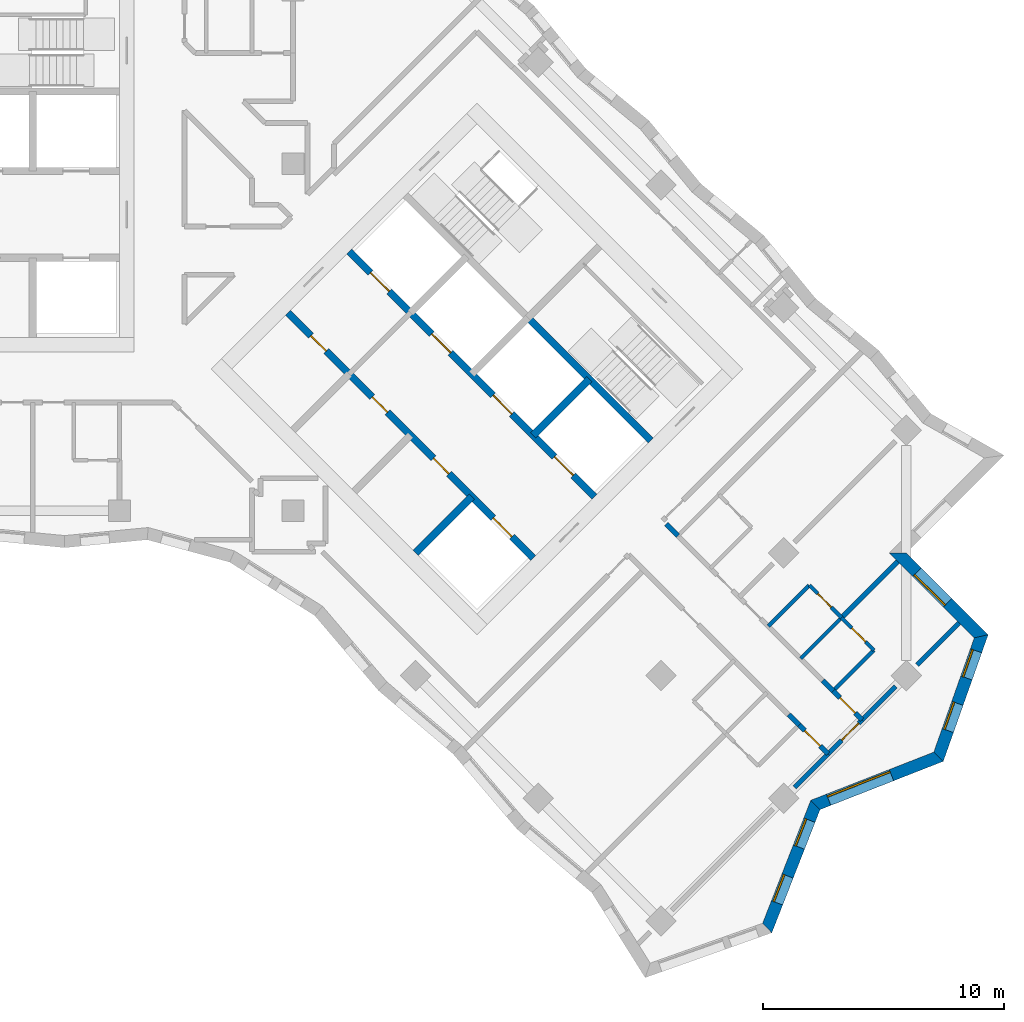
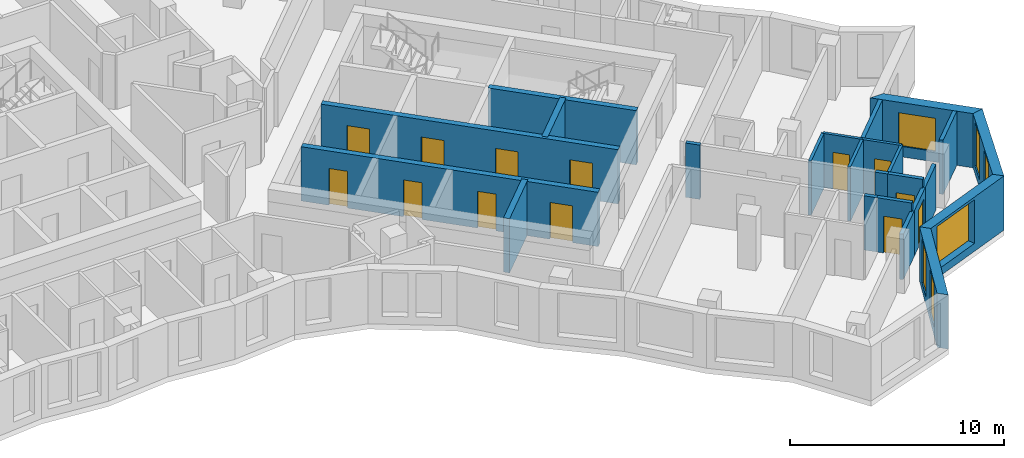
# One storey, part 8 of 12: 24 walls, 13 doors, 6 windows, 19 openings.
"""IFC4 building model written with IfcOpenShell, lengths in metres."""

from ifc_helpers import new_model, si_unit, direction, frame, frame_2d, origin, place, context, subcontext, project, spatial, polyline, rectangle, outline, extrude, material, layer, layer_set, type_object, element, fill, save


model = new_model("IFC4")

# Units and contexts
model_context = context("Model", 3, precision=1e-05, world=origin(), true_north=direction((0.0, 1.0)))
body_context = subcontext(model_context, "Body", "Model", "MODEL_VIEW")
ifc_project = project(units=[si_unit("LENGTHUNIT", "METRE"), si_unit("AREAUNIT", "SQUARE_METRE"), si_unit("VOLUMEUNIT", "CUBIC_METRE"), si_unit("PLANEANGLEUNIT", "RADIAN"), si_unit("MASSUNIT", "GRAM", prefix="KILO")], contexts=[model_context])

# Site, building, storey
site_placement = place(None, origin())
site = spatial("IfcSite", under=ifc_project, at=site_placement, CompositionType="ELEMENT")
building_placement = place(site_placement, origin())
building = spatial("IfcBuilding", under=site, at=building_placement, Name="Windrow Commons", CompositionType="ELEMENT")
storey_placement = place(building_placement, frame((0.0, 0.0, 138.8)))
storey = spatial("IfcBuildingStorey", under=building, at=storey_placement, Name="L37", CompositionType="ELEMENT", Elevation=138.8)

# Wall, openings, windows
ifc_material_1 = material(Name="Brick masonry, red clay brick", Category="masonry")
ifc_layer_1 = layer(ifc_material_1, 0.5)
ifc_layer_set_1 = layer_set([ifc_layer_1], Name="Brick facade wall 500")
wall_type_1 = type_object("IfcWallType", Name="Brick facade wall 500", PredefinedType="SOLIDWALL", material=ifc_layer_set_1)
wall_1_placement = place(storey_placement, frame((98.8803, 25.8838, 0.0), z_axis=(0.0, 0.0, 1.0), x_axis=(0.3646666187, 0.9311381515, 0.0)))
wall_1 = element("IfcWall", 1, at=wall_1_placement, inside=storey, type_object=wall_type_1, Name="Brick facade wall L37 2", PredefinedType="SOLIDWALL", context=body_context, shape_type="SweptSolid", body=[
    extrude(outline(polyline([(-0.1142, -0.25), (5.3782, -0.25), (5.5967, 0.25), (0.1142, 0.25), (-0.1142, -0.25)])), origin(), (0.0, 0.0, 1.0), 3.1),
])
opening_1_placement = place(wall_1_placement, frame((1.1231, 0.0, 0.45)))
opening_1 = element("IfcOpeningElement", 2, at=opening_1_placement, cuts=wall_1, Name="Opening W7E", PredefinedType="OPENING", context=body_context, shape_type="SweptSolid", body=[
    extrude(rectangle(XDim=1.2, YDim=2.5, at=frame_2d((0.6, 1.25))), frame((0.0, 0.26, 0.0), z_axis=(0.0, -1.0, 0.0), x_axis=(1.0, 0.0, 0.0)), (0.0, 0.0, 1.0), 0.52),
])
opening_2_placement = place(wall_1_placement, frame((3.6097, 0.0, 0.45)))
opening_2 = element("IfcOpeningElement", 3, at=opening_2_placement, cuts=wall_1, Name="Opening W7E", PredefinedType="OPENING", context=body_context, shape_type="SweptSolid", body=[
    extrude(rectangle(XDim=1.2, YDim=2.5, at=frame_2d((0.6, 1.25))), frame((0.0, 0.26, 0.0), z_axis=(0.0, -1.0, 0.0), x_axis=(1.0, 0.0, 0.0)), (0.0, 0.0, 1.0), 0.52),
])
ifc_material_2 = material(Name="Clear float glass in anodised aluminium frame", Category="aluminium")
window_type_1 = type_object("IfcWindowType", Name="Window W7 notch 1200x2500", PartitioningType="SINGLE_PANEL", PredefinedType="WINDOW", material=ifc_material_2)
window_1_placement = place(opening_1_placement, origin())
window_1 = element("IfcWindow", 4, at=window_1_placement, inside=storey, type_object=window_type_1, Name="Window L37 2.1", OverallHeight=2.5, OverallWidth=1.2, PartitioningType="SINGLE_PANEL", PredefinedType="WINDOW", context=body_context, shape_type="SweptSolid", body=[
    extrude(rectangle(XDim=1.2, YDim=2.5, at=frame_2d((0.6, 1.25))), frame((0.0, 0.18, 0.0), z_axis=(0.0, -1.0, 0.0), x_axis=(1.0, 0.0, 0.0)), (0.0, 0.0, 1.0), 0.06),
])
fill(opening_1, window_1)
window_2_placement = place(opening_2_placement, origin())
window_2 = element("IfcWindow", 5, at=window_2_placement, inside=storey, type_object=window_type_1, Name="Window L37 2.2", OverallHeight=2.5, OverallWidth=1.2, PartitioningType="SINGLE_PANEL", PredefinedType="WINDOW", context=body_context, shape_type="SweptSolid", body=[
    extrude(rectangle(XDim=1.2, YDim=2.5, at=frame_2d((0.6, 1.25))), frame((0.0, 0.18, 0.0), z_axis=(0.0, -1.0, 0.0), x_axis=(1.0, 0.0, 0.0)), (0.0, 0.0, 1.0), 0.06),
])
fill(opening_2, window_2)

# Wall, opening, window
wall_2_placement = place(storey_placement, frame((100.8814, 30.9934, 0.0), z_axis=(0.0, 0.0, 1.0), x_axis=(0.9311443392, 0.3646508186, 0.0)))
wall_2 = element("IfcWall", 6, at=wall_2_placement, inside=storey, type_object=wall_type_1, Name="Brick facade wall L37 3", PredefinedType="SOLIDWALL", context=body_context, shape_type="SweptSolid", body=[
    extrude(outline(polyline([(0.1093, -0.25), (5.6017, -0.25), (5.3732, 0.25), (-0.1093, 0.25), (0.1093, -0.25)])), origin(), (0.0, 0.0, 1.0), 3.1),
])
opening_3_placement = place(wall_2_placement, frame((0.5894, 0.0, 0.45)))
opening_3 = element("IfcOpeningElement", 7, at=opening_3_placement, cuts=wall_2, Name="Opening W1U", PredefinedType="OPENING", context=body_context, shape_type="SweptSolid", body=[
    extrude(rectangle(XDim=2.8, YDim=2.5, at=frame_2d((1.4, 1.25))), frame((0.0, 0.26, 0.0), z_axis=(0.0, -1.0, 0.0), x_axis=(1.0, 0.0, 0.0)), (0.0, 0.0, 1.0), 0.52),
])
ifc_material_3 = material(Name="Clear float glass in anodised aluminium frame", Category="aluminium")
window_type_2 = type_object("IfcWindowType", Name="Window W1U bedroom 2800x2500", PartitioningType="SINGLE_PANEL", PredefinedType="WINDOW", material=ifc_material_3)
window_3_placement = place(opening_3_placement, origin())
window_3 = element("IfcWindow", 8, at=window_3_placement, inside=storey, type_object=window_type_2, Name="Window L37 3.1", OverallHeight=2.5, OverallWidth=2.8, PartitioningType="SINGLE_PANEL", PredefinedType="WINDOW", context=body_context, shape_type="SweptSolid", body=[
    extrude(rectangle(XDim=2.8, YDim=2.5, at=frame_2d((1.4, 1.25))), frame((0.0, 0.18, 0.0), z_axis=(0.0, -1.0, 0.0), x_axis=(1.0, 0.0, 0.0)), (0.0, 0.0, 1.0), 0.06),
])
fill(opening_3, window_3)

# Wall, openings, windows
wall_3_placement = place(storey_placement, frame((105.991, 32.9944, 0.0), z_axis=(0.0, 0.0, 1.0), x_axis=(0.333866339, 0.9426204261, 0.0)))
wall_3 = element("IfcWall", 9, at=wall_3_placement, inside=storey, type_object=wall_type_1, Name="Brick facade wall L37 4", PredefinedType="SOLIDWALL", context=body_context, shape_type="SweptSolid", body=[
    extrude(outline(polyline([(-0.1142, -0.25), (5.4613, -0.25), (5.1458, 0.25), (0.1142, 0.25), (-0.1142, -0.25)])), origin(), (0.0, 0.0, 1.0), 3.1),
])
opening_4_placement = place(wall_3_placement, frame((1.1514, 0.0, 0.45)))
opening_4 = element("IfcOpeningElement", 10, at=opening_4_placement, cuts=wall_3, Name="Opening W7E", PredefinedType="OPENING", context=body_context, shape_type="SweptSolid", body=[
    extrude(rectangle(XDim=1.2, YDim=2.5, at=frame_2d((0.6, 1.25))), frame((0.0, 0.26, 0.0), z_axis=(0.0, -1.0, 0.0), x_axis=(1.0, 0.0, 0.0)), (0.0, 0.0, 1.0), 0.52),
])
opening_5_placement = place(wall_3_placement, frame((3.4671, 0.0, 0.45)))
opening_5 = element("IfcOpeningElement", 11, at=opening_5_placement, cuts=wall_3, Name="Opening W7E", PredefinedType="OPENING", context=body_context, shape_type="SweptSolid", body=[
    extrude(rectangle(XDim=1.2, YDim=2.5, at=frame_2d((0.6, 1.25))), frame((0.0, 0.26, 0.0), z_axis=(0.0, -1.0, 0.0), x_axis=(1.0, 0.0, 0.0)), (0.0, 0.0, 1.0), 0.52),
])
window_4_placement = place(opening_4_placement, origin())
window_4 = element("IfcWindow", 12, at=window_4_placement, inside=storey, type_object=window_type_1, Name="Window L37 4.1", OverallHeight=2.5, OverallWidth=1.2, PartitioningType="SINGLE_PANEL", PredefinedType="WINDOW", context=body_context, shape_type="SweptSolid", body=[
    extrude(rectangle(XDim=1.2, YDim=2.5, at=frame_2d((0.6, 1.25))), frame((0.0, 0.18, 0.0), z_axis=(0.0, -1.0, 0.0), x_axis=(1.0, 0.0, 0.0)), (0.0, 0.0, 1.0), 0.06),
])
fill(opening_4, window_4)
window_5_placement = place(opening_5_placement, origin())
window_5 = element("IfcWindow", 13, at=window_5_placement, inside=storey, type_object=window_type_1, Name="Window L37 4.2", OverallHeight=2.5, OverallWidth=1.2, PartitioningType="SINGLE_PANEL", PredefinedType="WINDOW", context=body_context, shape_type="SweptSolid", body=[
    extrude(rectangle(XDim=1.2, YDim=2.5, at=frame_2d((0.6, 1.25))), frame((0.0, 0.18, 0.0), z_axis=(0.0, -1.0, 0.0), x_axis=(1.0, 0.0, 0.0)), (0.0, 0.0, 1.0), 0.06),
])
fill(opening_5, window_5)

# Wall, opening, window
wall_4_placement = place(storey_placement, frame((107.7617, 37.9937, 0.0), z_axis=(0.0, 0.0, 1.0), x_axis=(-0.707127221, 0.7070863407, 0.0)))
wall_4 = element("IfcWall", 14, at=wall_4_placement, inside=storey, type_object=wall_type_1, Name="Brick facade wall L37 5", PredefinedType="SOLIDWALL", context=body_context, shape_type="SweptSolid", body=[
    extrude(outline(polyline([(-0.1578, -0.25), (4.6423, -0.25), (5.1423, 0.25), (0.1578, 0.25), (-0.1578, -0.25)])), origin(), (0.0, 0.0, 1.0), 3.1),
])
opening_6_placement = place(wall_4_placement, frame((1.9673, 0.0, 0.6)))
opening_6 = element("IfcOpeningElement", 15, at=opening_6_placement, cuts=wall_4, Name="Opening W1L", PredefinedType="OPENING", context=body_context, shape_type="SweptSolid", body=[
    extrude(rectangle(XDim=1.8, YDim=1.9, at=frame_2d((0.9, 0.95))), frame((0.0, 0.26, 0.0), z_axis=(0.0, -1.0, 0.0), x_axis=(1.0, 0.0, 0.0)), (0.0, 0.0, 1.0), 0.52),
])
ifc_material_4 = material(Name="Clear float glass in anodised aluminium frame", Category="aluminium")
window_type_3 = type_object("IfcWindowType", Name="Window W1L bedroom 1800x1900", PartitioningType="SINGLE_PANEL", PredefinedType="WINDOW", material=ifc_material_4)
window_6_placement = place(opening_6_placement, origin())
window_6 = element("IfcWindow", 16, at=window_6_placement, inside=storey, type_object=window_type_3, Name="Window L37 5.1", OverallHeight=1.9, OverallWidth=1.8, PartitioningType="SINGLE_PANEL", PredefinedType="WINDOW", context=body_context, shape_type="SweptSolid", body=[
    extrude(rectangle(XDim=1.8, YDim=1.9, at=frame_2d((0.9, 0.95))), frame((0.0, 0.18, 0.0), z_axis=(0.0, -1.0, 0.0), x_axis=(1.0, 0.0, 0.0)), (0.0, 0.0, 1.0), 0.06),
])
fill(opening_6, window_6)

# Wall, opening, door
ifc_material_5 = material(Name="Blockwork partition", Category="masonry")
ifc_layer_2 = layer(ifc_material_5, 0.2)
ifc_layer_set_2 = layer_set([ifc_layer_2], Name="IW-CORRIDOR-200")
wall_type_2 = type_object("IfcWallType", Name="IW-CORRIDOR-200", PredefinedType="PARTITIONING", material=ifc_layer_set_2)
wall_5_placement = place(storey_placement, frame((101.4032, 33.1108, 0.0), z_axis=(0.0, 0.0, 1.0), x_axis=(0.7071067812, 0.7071067812, 0.0)))
wall_5 = element("IfcWall", 17, at=wall_5_placement, inside=storey, type_object=wall_type_2, Name="W-L37-W110", PredefinedType="PARTITIONING", context=body_context, shape_type="SweptSolid", body=[
    extrude(rectangle(XDim=1.9997, YDim=0.2, at=frame_2d((0.9999, 0.0))), origin(), (0.0, 0.0, 1.0), 2.6),
])
opening_7_placement = place(wall_5_placement, frame((0.8016, 0.0, 0.0)))
opening_7 = element("IfcOpeningElement", 18, at=opening_7_placement, cuts=wall_5, Name="Opening D310F", PredefinedType="OPENING", context=body_context, shape_type="SweptSolid", body=[
    extrude(rectangle(XDim=1.0, YDim=2.1, at=frame_2d((0.5, 1.05))), frame((0.0, 0.11, 0.0), z_axis=(0.0, -1.0, 0.0), x_axis=(1.0, 0.0, 0.0)), (0.0, 0.0, 1.0), 0.22),
])
ifc_material_6 = material(Name="Timber door leaf", Category="wood")
door_type_1 = type_object("IfcDoorType", Name="DT-AMENITY-1000", OperationType="SINGLE_SWING_LEFT", PredefinedType="DOOR", material=ifc_material_6)
door_1_placement = place(opening_7_placement, origin())
door_1 = element("IfcDoor", 19, at=door_1_placement, inside=storey, type_object=door_type_1, Name="D-L37-D053", OperationType="SINGLE_SWING_RIGHT", OverallHeight=2.1, OverallWidth=1.0, PredefinedType="DOOR", context=body_context, shape_type="SweptSolid", body=[
    extrude(rectangle(XDim=1.0, YDim=2.1, at=frame_2d((0.5, 1.05))), frame((0.0, 0.025, 0.0), z_axis=(0.0, -1.0, 0.0), x_axis=(1.0, 0.0, 0.0)), (0.0, 0.0, 1.0), 0.05),
])
fill(opening_7, door_1)

wall_6_placement = place(storey_placement, frame((100.205, 34.315, 0.0), z_axis=(0.0, 0.0, 1.0), x_axis=(0.7071067812, -0.7071067812, 0.0)))
wall_6 = element("IfcWall", 20, at=wall_6_placement, inside=storey, type_object=wall_type_2, Name="W-L37-W132", PredefinedType="PARTITIONING", context=body_context, shape_type="SweptSolid", body=[
    extrude(rectangle(XDim=1.6999, YDim=0.2, at=frame_2d((0.8499, 0.0))), origin(), (0.0, 0.0, 1.0), 3.1),
])
opening_8_placement = place(wall_6_placement, frame((0.3349, 0.0, 0.0)))
opening_8 = element("IfcOpeningElement", 21, at=opening_8_placement, cuts=wall_6, Name="Opening D109S", PredefinedType="OPENING", context=body_context, shape_type="SweptSolid", body=[
    extrude(rectangle(XDim=0.9, YDim=2.1, at=frame_2d((0.45, 1.05))), frame((0.0, 0.11, 0.0), z_axis=(0.0, -1.0, 0.0), x_axis=(1.0, 0.0, 0.0)), (0.0, 0.0, 1.0), 0.22),
])
ifc_material_7 = material(Name="Timber door leaf", Category="wood")
door_type_2 = type_object("IfcDoorType", Name="DT-BEDROOM-900", OperationType="SINGLE_SWING_LEFT", PredefinedType="DOOR", material=ifc_material_7)
door_2_placement = place(opening_8_placement, origin())
door_2 = element("IfcDoor", 22, at=door_2_placement, inside=storey, type_object=door_type_2, Name="D-L37-D051", OperationType="SINGLE_SWING_LEFT", OverallHeight=2.1, OverallWidth=0.9, PredefinedType="DOOR", context=body_context, shape_type="SweptSolid", body=[
    extrude(rectangle(XDim=0.9, YDim=2.1, at=frame_2d((0.45, 1.05))), frame((0.0, 0.025, 0.0), z_axis=(0.0, -1.0, 0.0), x_axis=(1.0, 0.0, 0.0)), (0.0, 0.0, 1.0), 0.05),
])
fill(opening_8, door_2)

wall_7_placement = place(storey_placement, frame((101.6192, 35.7292, 0.0), z_axis=(0.0, 0.0, 1.0), x_axis=(0.7071067812, -0.7071067812, 0.0)))
wall_7 = element("IfcWall", 23, at=wall_7_placement, inside=storey, type_object=wall_type_2, Name="W-L37-W133", PredefinedType="PARTITIONING", context=body_context, shape_type="SweptSolid", body=[
    extrude(rectangle(XDim=1.6999, YDim=0.2, at=frame_2d((0.8499, 0.0))), origin(), (0.0, 0.0, 1.0), 3.1),
])
opening_9_placement = place(wall_7_placement, frame((0.3999, 0.0, 0.0)))
opening_9 = element("IfcOpeningElement", 24, at=opening_9_placement, cuts=wall_7, Name="Opening D109S", PredefinedType="OPENING", context=body_context, shape_type="SweptSolid", body=[
    extrude(rectangle(XDim=0.9, YDim=2.1, at=frame_2d((0.45, 1.05))), frame((0.0, 0.11, 0.0), z_axis=(0.0, -1.0, 0.0), x_axis=(1.0, 0.0, 0.0)), (0.0, 0.0, 1.0), 0.22),
])
door_3_placement = place(opening_9_placement, origin())
door_3 = element("IfcDoor", 25, at=door_3_placement, inside=storey, type_object=door_type_2, Name="D-L37-D049", OperationType="SINGLE_SWING_RIGHT", OverallHeight=2.1, OverallWidth=0.9, PredefinedType="DOOR", context=body_context, shape_type="SweptSolid", body=[
    extrude(rectangle(XDim=0.9, YDim=2.1, at=frame_2d((0.45, 1.05))), frame((0.0, 0.025, 0.0), z_axis=(0.0, -1.0, 0.0), x_axis=(1.0, 0.0, 0.0)), (0.0, 0.0, 1.0), 0.05),
])
fill(opening_9, door_3)

# Walls
wall_8_placement = place(storey_placement, frame((94.6863, 42.6563, 0.0), z_axis=(0.0, 0.0, 1.0), x_axis=(0.7056768426, -0.7085338339, 0.0)))
element("IfcWall", 26, at=wall_8_placement, inside=storey, type_object=wall_type_2, Name="W-L37-W155", PredefinedType="PARTITIONING", context=body_context, shape_type="SweptSolid", body=[
    extrude(rectangle(XDim=0.7, YDim=0.2, at=frame_2d((0.35, 0.0))), origin(), (0.0, 0.0, 1.0), 3.1),
])
for number, where, z_axis, x_axis, name in (
    (27, (101.186, 36.1581, 0.0), (0.0, 0.0, 1.0), (0.7087454925, -0.7054642634, 0.0), "W-L37-W158"),
    (28, (99.7718, 34.7438, 0.0), (0.0, 0.0, 1.0), (0.7087454925, -0.7054642634, 0.0), "W-L37-W159"),
):
    element("IfcWall", number, at=place(storey_placement, frame(where, z_axis=z_axis, x_axis=x_axis)), inside=storey, type_object=wall_type_2, Name=name, PredefinedType="PARTITIONING", context=body_context, shape_type="SweptSolid", body=[
        extrude(rectangle(XDim=0.6095, YDim=0.2, at=frame_2d((0.3048, 0.0))), origin(), (0.0, 0.0, 1.0), 3.1),
    ])
ifc_material_8 = material(Name="Blockwork partition", Category="masonry")
ifc_layer_3 = layer(ifc_material_8, 0.15)
ifc_layer_set_3 = layer_set([ifc_layer_3], Name="IW-ENSUITE-150")
wall_type_3 = type_object("IfcWallType", Name="IW-ENSUITE-150", PredefinedType="PARTITIONING", material=ifc_layer_set_3)
wall_9_placement = place(storey_placement, frame((98.9271, 38.4129, 0.0), z_axis=(0.0, 0.0, 1.0), x_axis=(0.7071067812, 0.7071067812, 0.0)))
element("IfcWall", 29, at=wall_9_placement, inside=storey, type_object=wall_type_3, Name="W-L37-W062", PredefinedType="PARTITIONING", context=body_context, shape_type="SweptSolid", body=[
    extrude(rectangle(XDim=2.4013, YDim=0.15, at=frame_2d((1.2006, 0.0))), origin(), (0.0, 0.0, 1.0), 3.1),
])
wall_10_placement = place(storey_placement, frame((100.2726, 37.0674, 0.0), z_axis=(0.0, 0.0, 1.0), x_axis=(0.706689978, 0.7075233388, 0.0)))
element("IfcWall", 30, at=wall_10_placement, inside=storey, type_object=wall_type_3, Name="W-L37-W089", PredefinedType="PARTITIONING", context=body_context, shape_type="SweptSolid", body=[
    extrude(rectangle(XDim=2.3999, YDim=0.15, at=frame_2d((1.2, 0.0))), origin(), (0.0, 0.0, 1.0), 3.1),
])
wall_11_placement = place(storey_placement, frame((101.6151, 35.7269, 0.0), z_axis=(0.0, 0.0, 1.0), x_axis=(0.7071067812, 0.7071067812, 0.0)))
element("IfcWall", 31, at=wall_11_placement, inside=storey, type_object=wall_type_3, Name="W-L37-W091", PredefinedType="PARTITIONING", context=body_context, shape_type="SweptSolid", body=[
    extrude(rectangle(XDim=2.3985, YDim=0.15, at=frame_2d((1.1992, 0.0))), origin(), (0.0, 0.0, 1.0), 3.1),
])

# Wall, opening, door
wall_12_placement = place(storey_placement, frame((101.9652, 38.7632, 0.0), z_axis=(0.0, 0.0, 1.0), x_axis=(0.7071067812, -0.7071067812, 0.0)))
wall_12 = element("IfcWall", 32, at=wall_12_placement, inside=storey, type_object=wall_type_3, Name="W-L37-W118", PredefinedType="PARTITIONING", context=body_context, shape_type="SweptSolid", body=[
    extrude(rectangle(XDim=1.9007, YDim=0.15, at=frame_2d((0.9504, 0.0))), origin(), (0.0, 0.0, 1.0), 3.1),
])
opening_10_placement = place(wall_12_placement, frame((0.6075, 0.0, 0.0)))
opening_10 = element("IfcOpeningElement", 33, at=opening_10_placement, cuts=wall_12, Name="Opening D208N", PredefinedType="OPENING", context=body_context, shape_type="SweptSolid", body=[
    extrude(rectangle(XDim=0.8, YDim=2.1, at=frame_2d((0.4, 1.05))), frame((0.0, 0.085, 0.0), z_axis=(0.0, -1.0, 0.0), x_axis=(1.0, 0.0, 0.0)), (0.0, 0.0, 1.0), 0.17),
])
ifc_material_9 = material(Name="Timber door leaf", Category="wood")
door_type_3 = type_object("IfcDoorType", Name="DT-ENSUITE-800", OperationType="SINGLE_SWING_LEFT", PredefinedType="DOOR", material=ifc_material_9)
door_4_placement = place(opening_10_placement, origin())
door_4 = element("IfcDoor", 34, at=door_4_placement, inside=storey, type_object=door_type_3, Name="D-L37-D050", OperationType="SINGLE_SWING_RIGHT", OverallHeight=2.1, OverallWidth=0.8, PredefinedType="DOOR", context=body_context, shape_type="SweptSolid", body=[
    extrude(rectangle(XDim=0.8, YDim=2.1, at=frame_2d((0.4, 1.05))), frame((0.0, 0.025, 0.0), z_axis=(0.0, -1.0, 0.0), x_axis=(1.0, 0.0, 0.0)), (0.0, 0.0, 1.0), 0.05),
])
fill(opening_10, door_4)

wall_13_placement = place(storey_placement, frame((100.628, 40.112, 0.0), z_axis=(0.0, 0.0, 1.0), x_axis=(0.7065800724, -0.7076330979, 0.0)))
wall_13 = element("IfcWall", 35, at=wall_13_placement, inside=storey, type_object=wall_type_3, Name="W-L37-W127", PredefinedType="PARTITIONING", context=body_context, shape_type="SweptSolid", body=[
    extrude(rectangle(XDim=1.8993, YDim=0.15, at=frame_2d((0.9496, 0.0))), origin(), (0.0, 0.0, 1.0), 3.1),
])
opening_11_placement = place(wall_13_placement, frame((0.493, 0.0, 0.0)))
opening_11 = element("IfcOpeningElement", 36, at=opening_11_placement, cuts=wall_13, Name="Opening D208N", PredefinedType="OPENING", context=body_context, shape_type="SweptSolid", body=[
    extrude(rectangle(XDim=0.8, YDim=2.1, at=frame_2d((0.4, 1.05))), frame((0.0, 0.085, 0.0), z_axis=(0.0, -1.0, 0.0), x_axis=(1.0, 0.0, 0.0)), (0.0, 0.0, 1.0), 0.17),
])
door_5_placement = place(opening_11_placement, origin())
door_5 = element("IfcDoor", 37, at=door_5_placement, inside=storey, type_object=door_type_3, Name="D-L37-D048", OperationType="SINGLE_SWING_RIGHT", OverallHeight=2.1, OverallWidth=0.8, PredefinedType="DOOR", context=body_context, shape_type="SweptSolid", body=[
    extrude(rectangle(XDim=0.8, YDim=2.1, at=frame_2d((0.4, 1.05))), frame((0.0, 0.025, 0.0), z_axis=(0.0, -1.0, 0.0), x_axis=(1.0, 0.0, 0.0)), (0.0, 0.0, 1.0), 0.05),
])
fill(opening_11, door_5)

# Walls
ifc_material_10 = material(Name="Blockwork partition", Category="masonry")
ifc_layer_4 = layer(ifc_material_10, 0.2)
ifc_layer_set_4 = layer_set([ifc_layer_4], Name="IW-PARTY-200")
wall_type_4 = type_object("IfcWallType", Name="IW-PARTY-200", PredefinedType="PARTITIONING", material=ifc_layer_set_4)
wall_14_placement = place(storey_placement, frame((101.9676, 38.7664, 0.0), z_axis=(0.0, 0.0, 1.0), x_axis=(0.7071067812, 0.7071067812, 0.0)))
element("IfcWall", 38, at=wall_14_placement, inside=storey, type_object=wall_type_4, Name="W-L37-W049", PredefinedType="PARTITIONING", context=body_context, shape_type="SweptSolid", body=[
    extrude(rectangle(XDim=3.3005, YDim=0.2, at=frame_2d((1.6502, 0.0))), origin(), (0.0, 0.0, 1.0), 3.1),
])
wall_15_placement = place(storey_placement, frame((105.1052, 36.8128, 0.0), z_axis=(0.0, 0.0, 1.0), x_axis=(0.7071067812, 0.7071067812, 0.0)))
element("IfcWall", 39, at=wall_15_placement, inside=storey, type_object=wall_type_4, Name="W-L37-W060", PredefinedType="PARTITIONING", context=body_context, shape_type="SweptSolid", body=[
    extrude(rectangle(XDim=2.4634, YDim=0.2, at=frame_2d((1.2317, 0.0))), origin(), (0.0, 0.0, 1.0), 3.1),
])
wall_16_placement = place(storey_placement, frame((100.0132, 31.7208, 0.0), z_axis=(0.0, 0.0, 1.0), x_axis=(0.7071067812, 0.7071067812, 0.0)))
element("IfcWall", 40, at=wall_16_placement, inside=storey, type_object=wall_type_4, Name="W-L37-W111", PredefinedType="PARTITIONING", context=body_context, shape_type="SweptSolid", body=[
    extrude(rectangle(XDim=1.9658, YDim=0.2, at=frame_2d((0.9829, 0.0))), origin(), (0.0, 0.0, 1.0), 2.6),
])
wall_17_placement = place(storey_placement, frame((102.8172, 34.5248, 0.0), z_axis=(0.0, 0.0, 1.0), x_axis=(0.7071067812, 0.7071067812, 0.0)))
element("IfcWall", 41, at=wall_17_placement, inside=storey, type_object=wall_type_4, Name="W-L37-W113", PredefinedType="PARTITIONING", context=body_context, shape_type="SweptSolid", body=[
    extrude(rectangle(XDim=1.9629, YDim=0.2, at=frame_2d((0.9815, 0.0))), origin(), (0.0, 0.0, 1.0), 2.6),
])
ifc_material_11 = material(Name="Concrete C50/60", Category="concrete")
ifc_layer_5 = layer(ifc_material_11, 0.3)
ifc_layer_set_5 = layer_set([ifc_layer_5], Name="RC SHAFT WALL 300 C50/60")
wall_type_5 = type_object("IfcWallType", Name="RC SHAFT WALL 300 C50/60", PredefinedType="SOLIDWALL", material=ifc_layer_set_5)
wall_18_placement = place(storey_placement, frame((84.2912, 41.453, 0.0), z_axis=(0.0, 0.0, 1.0), x_axis=(0.7071067812, 0.7071067812, 0.0)))
element("IfcWall", 42, at=wall_18_placement, inside=storey, type_object=wall_type_5, Name="Core B wall shaft-S3", PredefinedType="SOLIDWALL", context=body_context, shape_type="SweptSolid", body=[
    extrude(rectangle(XDim=3.2999, YDim=0.3, at=frame_2d((1.65, 0.0))), origin(), (0.0, 0.0, 1.0), 3.1),
])
wall_19_placement = place(storey_placement, frame((89.1702, 46.332, 0.0), z_axis=(0.0, 0.0, 1.0), x_axis=(0.7071067812, 0.7071067812, 0.0)))
element("IfcWall", 43, at=wall_19_placement, inside=storey, type_object=wall_type_5, Name="Core B wall shaft-N3", PredefinedType="SOLIDWALL", context=body_context, shape_type="SweptSolid", body=[
    extrude(rectangle(XDim=3.3001, YDim=0.3, at=frame_2d((1.6501, 0.0))), origin(), (0.0, 0.0, 1.0), 3.1),
])

# Wall, openings, doors
wall_20_placement = place(storey_placement, frame((78.9879, 51.4232, 0.0), z_axis=(0.0, 0.0, 1.0), x_axis=(0.7071067812, -0.7071067812, 0.0)))
wall_20 = element("IfcWall", 44, at=wall_20_placement, inside=storey, type_object=wall_type_5, Name="Core B wall lobby-S", PredefinedType="SOLIDWALL", context=body_context, shape_type="SweptSolid", body=[
    extrude(rectangle(XDim=14.3999, YDim=0.3, at=frame_2d((7.2, 0.0))), origin(), (0.0, 0.0, 1.0), 3.1),
])
opening_12_placement = place(wall_20_placement, frame((1.35, 0.0, 0.0)))
opening_12 = element("IfcOpeningElement", 45, at=opening_12_placement, cuts=wall_20, Name="Opening D8", PredefinedType="OPENING", context=body_context, shape_type="SweptSolid", body=[
    extrude(rectangle(XDim=0.9, YDim=2.1, at=frame_2d((0.45, 1.05))), frame((0.0, 0.16, 0.0), z_axis=(0.0, -1.0, 0.0), x_axis=(1.0, 0.0, 0.0)), (0.0, 0.0, 1.0), 0.32),
])
opening_13_placement = place(wall_20_placement, frame((4.95, 0.0, 0.0)))
opening_13 = element("IfcOpeningElement", 46, at=opening_13_placement, cuts=wall_20, Name="Opening D8", PredefinedType="OPENING", context=body_context, shape_type="SweptSolid", body=[
    extrude(rectangle(XDim=0.9, YDim=2.1, at=frame_2d((0.45, 1.05))), frame((0.0, 0.16, 0.0), z_axis=(0.0, -1.0, 0.0), x_axis=(1.0, 0.0, 0.0)), (0.0, 0.0, 1.0), 0.32),
])
opening_14_placement = place(wall_20_placement, frame((8.55, 0.0, 0.0)))
opening_14 = element("IfcOpeningElement", 47, at=opening_14_placement, cuts=wall_20, Name="Opening D8", PredefinedType="OPENING", context=body_context, shape_type="SweptSolid", body=[
    extrude(rectangle(XDim=0.9, YDim=2.1, at=frame_2d((0.45, 1.05))), frame((0.0, 0.16, 0.0), z_axis=(0.0, -1.0, 0.0), x_axis=(1.0, 0.0, 0.0)), (0.0, 0.0, 1.0), 0.32),
])
opening_15_placement = place(wall_20_placement, frame((12.05, 0.0, 0.0)))
opening_15 = element("IfcOpeningElement", 48, at=opening_15_placement, cuts=wall_20, Name="Opening LD", PredefinedType="OPENING", context=body_context, shape_type="SweptSolid", body=[
    extrude(rectangle(XDim=1.1, YDim=2.1, at=frame_2d((0.55, 1.05))), frame((0.0, 0.16, 0.0), z_axis=(0.0, -1.0, 0.0), x_axis=(1.0, 0.0, 0.0)), (0.0, 0.0, 1.0), 0.32),
])
ifc_material_12 = material(Name="Steel fire door leaf", Category="steel")
door_type_4 = type_object("IfcDoorType", Name="Core store door 900", OperationType="SINGLE_SWING_LEFT", PredefinedType="DOOR", material=ifc_material_12)
door_6_placement = place(opening_12_placement, origin())
door_6 = element("IfcDoor", 49, at=door_6_placement, inside=storey, type_object=door_type_4, Name="Store door", OperationType="SINGLE_SWING_LEFT", OverallHeight=2.1, OverallWidth=0.9, PredefinedType="DOOR", context=body_context, shape_type="SweptSolid", body=[
    extrude(rectangle(XDim=0.9, YDim=2.1, at=frame_2d((0.45, 1.05))), frame((0.0, 0.025, 0.0), z_axis=(0.0, -1.0, 0.0), x_axis=(1.0, 0.0, 0.0)), (0.0, 0.0, 1.0), 0.05),
])
fill(opening_12, door_6)
door_7_placement = place(opening_13_placement, origin())
door_7 = element("IfcDoor", 50, at=door_7_placement, inside=storey, type_object=door_type_4, Name="Store door", OperationType="SINGLE_SWING_LEFT", OverallHeight=2.1, OverallWidth=0.9, PredefinedType="DOOR", context=body_context, shape_type="SweptSolid", body=[
    extrude(rectangle(XDim=0.9, YDim=2.1, at=frame_2d((0.45, 1.05))), frame((0.0, 0.025, 0.0), z_axis=(0.0, -1.0, 0.0), x_axis=(1.0, 0.0, 0.0)), (0.0, 0.0, 1.0), 0.05),
])
fill(opening_13, door_7)
door_8_placement = place(opening_14_placement, origin())
door_8 = element("IfcDoor", 51, at=door_8_placement, inside=storey, type_object=door_type_4, Name="Store door", OperationType="SINGLE_SWING_LEFT", OverallHeight=2.1, OverallWidth=0.9, PredefinedType="DOOR", context=body_context, shape_type="SweptSolid", body=[
    extrude(rectangle(XDim=0.9, YDim=2.1, at=frame_2d((0.45, 1.05))), frame((0.0, 0.025, 0.0), z_axis=(0.0, -1.0, 0.0), x_axis=(1.0, 0.0, 0.0)), (0.0, 0.0, 1.0), 0.05),
])
fill(opening_14, door_8)
ifc_material_13 = material(Name="Stainless steel door leaf", Category="steel")
door_type_5 = type_object("IfcDoorType", Name="Lift landing door 1100", OperationType="SLIDING_TO_LEFT", PredefinedType="DOOR", material=ifc_material_13)
door_9_placement = place(opening_15_placement, origin())
door_9 = element("IfcDoor", 52, at=door_9_placement, inside=storey, type_object=door_type_5, Name="Lift landing door", OperationType="SLIDING_TO_RIGHT", OverallHeight=2.1, OverallWidth=1.1, PredefinedType="DOOR", context=body_context, shape_type="SweptSolid", body=[
    extrude(rectangle(XDim=1.1, YDim=2.1, at=frame_2d((0.55, 1.05))), frame((0.0, 0.025, 0.0), z_axis=(0.0, -1.0, 0.0), x_axis=(1.0, 0.0, 0.0)), (0.0, 0.0, 1.0), 0.05),
])
fill(opening_15, door_9)

wall_21_placement = place(storey_placement, frame((81.5335, 53.9688, 0.0), z_axis=(0.0, 0.0, 1.0), x_axis=(0.707103309, -0.7071102534, 0.0)))
wall_21 = element("IfcWall", 53, at=wall_21_placement, inside=storey, type_object=wall_type_5, Name="Core B wall lobby-N", PredefinedType="SOLIDWALL", context=body_context, shape_type="SweptSolid", body=[
    extrude(rectangle(XDim=14.4, YDim=0.3, at=frame_2d((7.2, 0.0))), origin(), (0.0, 0.0, 1.0), 3.1),
])
opening_16_placement = place(wall_21_placement, frame((1.25, 0.0, 0.0)))
opening_16 = element("IfcOpeningElement", 54, at=opening_16_placement, cuts=wall_21, Name="Opening LD", PredefinedType="OPENING", context=body_context, shape_type="SweptSolid", body=[
    extrude(rectangle(XDim=1.1, YDim=2.1, at=frame_2d((0.55, 1.05))), frame((0.0, 0.16, 0.0), z_axis=(0.0, -1.0, 0.0), x_axis=(1.0, 0.0, 0.0)), (0.0, 0.0, 1.0), 0.32),
])
opening_17_placement = place(wall_21_placement, frame((4.85, 0.0, 0.0)))
opening_17 = element("IfcOpeningElement", 55, at=opening_17_placement, cuts=wall_21, Name="Opening LD", PredefinedType="OPENING", context=body_context, shape_type="SweptSolid", body=[
    extrude(rectangle(XDim=1.1, YDim=2.1, at=frame_2d((0.55, 1.05))), frame((0.0, 0.16, 0.0), z_axis=(0.0, -1.0, 0.0), x_axis=(1.0, 0.0, 0.0)), (0.0, 0.0, 1.0), 0.32),
])
opening_18_placement = place(wall_21_placement, frame((8.45, 0.0, 0.0)))
opening_18 = element("IfcOpeningElement", 56, at=opening_18_placement, cuts=wall_21, Name="Opening LD", PredefinedType="OPENING", context=body_context, shape_type="SweptSolid", body=[
    extrude(rectangle(XDim=1.1, YDim=2.1, at=frame_2d((0.55, 1.05))), frame((0.0, 0.16, 0.0), z_axis=(0.0, -1.0, 0.0), x_axis=(1.0, 0.0, 0.0)), (0.0, 0.0, 1.0), 0.32),
])
opening_19_placement = place(wall_21_placement, frame((12.05, 0.0, 0.0)))
opening_19 = element("IfcOpeningElement", 57, at=opening_19_placement, cuts=wall_21, Name="Opening LD", PredefinedType="OPENING", context=body_context, shape_type="SweptSolid", body=[
    extrude(rectangle(XDim=1.1, YDim=2.1, at=frame_2d((0.55, 1.05))), frame((0.0, 0.16, 0.0), z_axis=(0.0, -1.0, 0.0), x_axis=(1.0, 0.0, 0.0)), (0.0, 0.0, 1.0), 0.32),
])
door_10_placement = place(opening_16_placement, origin())
door_10 = element("IfcDoor", 58, at=door_10_placement, inside=storey, type_object=door_type_5, Name="Lift landing door", OperationType="SLIDING_TO_LEFT", OverallHeight=2.1, OverallWidth=1.1, PredefinedType="DOOR", context=body_context, shape_type="SweptSolid", body=[
    extrude(rectangle(XDim=1.1, YDim=2.1, at=frame_2d((0.55, 1.05))), frame((0.0, 0.025, 0.0), z_axis=(0.0, -1.0, 0.0), x_axis=(1.0, 0.0, 0.0)), (0.0, 0.0, 1.0), 0.05),
])
fill(opening_16, door_10)
door_11_placement = place(opening_17_placement, origin())
door_11 = element("IfcDoor", 59, at=door_11_placement, inside=storey, type_object=door_type_5, Name="Lift landing door", OperationType="SLIDING_TO_RIGHT", OverallHeight=2.1, OverallWidth=1.1, PredefinedType="DOOR", context=body_context, shape_type="SweptSolid", body=[
    extrude(rectangle(XDim=1.1, YDim=2.1, at=frame_2d((0.55, 1.05))), frame((0.0, 0.025, 0.0), z_axis=(0.0, -1.0, 0.0), x_axis=(1.0, 0.0, 0.0)), (0.0, 0.0, 1.0), 0.05),
])
fill(opening_17, door_11)
door_12_placement = place(opening_18_placement, origin())
door_12 = element("IfcDoor", 60, at=door_12_placement, inside=storey, type_object=door_type_5, Name="Lift landing door", OperationType="SLIDING_TO_LEFT", OverallHeight=2.1, OverallWidth=1.1, PredefinedType="DOOR", context=body_context, shape_type="SweptSolid", body=[
    extrude(rectangle(XDim=1.1, YDim=2.1, at=frame_2d((0.55, 1.05))), frame((0.0, 0.025, 0.0), z_axis=(0.0, -1.0, 0.0), x_axis=(1.0, 0.0, 0.0)), (0.0, 0.0, 1.0), 0.05),
])
fill(opening_18, door_12)
door_13_placement = place(opening_19_placement, origin())
door_13 = element("IfcDoor", 61, at=door_13_placement, inside=storey, type_object=door_type_5, Name="Lift landing door", OperationType="SLIDING_TO_RIGHT", OverallHeight=2.1, OverallWidth=1.1, PredefinedType="DOOR", context=body_context, shape_type="SweptSolid", body=[
    extrude(rectangle(XDim=1.1, YDim=2.1, at=frame_2d((0.55, 1.05))), frame((0.0, 0.025, 0.0), z_axis=(0.0, -1.0, 0.0), x_axis=(1.0, 0.0, 0.0)), (0.0, 0.0, 1.0), 0.05),
])
fill(opening_19, door_13)

# Wall
wall_22_placement = place(storey_placement, frame((88.9581, 51.2111, 0.0), z_axis=(0.0, 0.0, 1.0), x_axis=(0.7070998367, -0.7071137256, 0.0)))
element("IfcWall", 62, at=wall_22_placement, inside=storey, type_object=wall_type_5, Name="Core B wall stair-S2", PredefinedType="SOLIDWALL", context=body_context, shape_type="SweptSolid", body=[
    extrude(rectangle(XDim=7.2, YDim=0.3, at=frame_2d((3.6, 0.0))), origin(), (0.0, 0.0, 1.0), 3.1),
])

save(model, "model.ifc")
